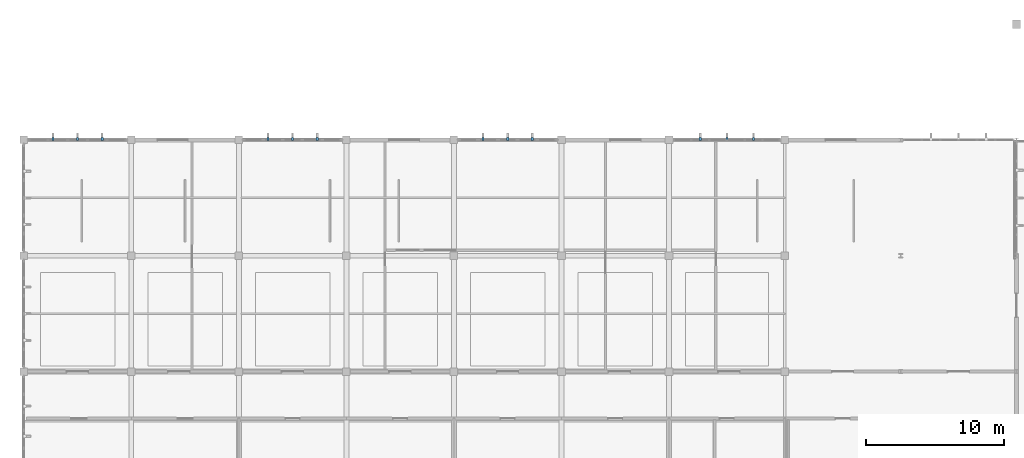
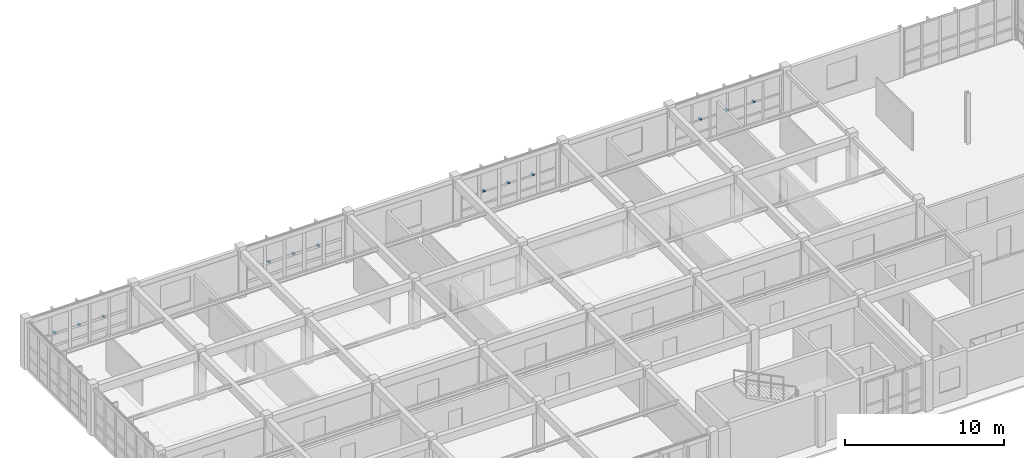
# One storey, part 27 of 35: 12 discrete accessories.
"""IFC4 building model written with IfcOpenShell, lengths in metres."""

import ifcopenshell
import ifcopenshell.guid

model = None  # the IFC model being written
_history = None  # IfcOwnerHistory: only IFC2X3 demands one
_inside = {}  # id of a spatial element -> (the spatial element, [elements in it])
_under = {}  # id of a project, library or spatial element -> (it, [spatial elements below it])
_declared = {}  # id of a project -> (the project, [libraries it declares])
_typed = {}  # id of a type object -> (the type object, [elements of that type])
_made_of = {}  # id of a material, layer set ... -> (it, [elements and type objects made of it])


def new_model(schema):
    """Start an empty IFC model of exactly this schema.

    Asked for "IFC4X3", IfcOpenShell would pick the latest addendum, in which some entities
    have other attributes; the version numbers below select the first issue.
    IFC2X3 requires an IfcOwnerHistory on every rooted entity: one is made here for all.
    """
    global model, _history
    if schema == "IFC4X3":
        model = ifcopenshell.file(schema_version=(4, 3, 0, 0))
    else:
        model = ifcopenshell.file(schema=schema)
    _inside.clear()
    _under.clear()
    _declared.clear()
    _typed.clear()
    _made_of.clear()
    _history = None
    if model.schema == "IFC2X3":
        org = make("IfcOrganization", Name="unknown")
        user = make(
            "IfcPersonAndOrganization",
            ThePerson=make("IfcPerson", FamilyName="unknown"),
            TheOrganization=org,
        )
        app = make(
            "IfcApplication",
            ApplicationDeveloper=org,
            Version="unknown",
            ApplicationFullName="unknown",
            ApplicationIdentifier="unknown",
        )
        _history = make(
            "IfcOwnerHistory",
            OwningUser=user,
            OwningApplication=app,
            ChangeAction="ADDED",
            CreationDate=0,
        )
    return model


def make(cls, **values):
    """One entity of the class cls with the attributes given. An attribute that is None is left unset."""
    return model.create_entity(
        cls, **{name: value for name, value in values.items() if value is not None}
    )


def rooted(cls, **values):
    """An entity with a GlobalId (a new one), such as an element, a storey or a relation."""
    return make(cls, GlobalId=ifcopenshell.guid.new(), OwnerHistory=_history, **values)


def si_unit(unit_type, name, prefix=None):
    """IfcSIUnit, for example si_unit("LENGTHUNIT", "METRE", prefix="MILLI")."""
    return make("IfcSIUnit", UnitType=unit_type, Prefix=prefix, Name=name)


def assignment(units):
    """IfcUnitAssignment: the units of a project."""
    return None if units is None else make("IfcUnitAssignment", Units=units)


def point(xyz):
    """IfcCartesianPoint."""
    return None if xyz is None else make("IfcCartesianPoint", Coordinates=xyz)


def direction(xyz):
    """IfcDirection."""
    return None if xyz is None else make("IfcDirection", DirectionRatios=xyz)


def frame(location, z_axis=None, x_axis=None):
    """IfcAxis2Placement3D, a coordinate frame: its origin and axes. An axis left out is left unset."""
    return make(
        "IfcAxis2Placement3D",
        Location=point(location),
        Axis=direction(z_axis),
        RefDirection=direction(x_axis),
    )


def frame_2d(location, x_axis=None):
    """IfcAxis2Placement2D, a coordinate frame in the plane: its origin and x axis."""
    return make(
        "IfcAxis2Placement2D", Location=point(location), RefDirection=direction(x_axis)
    )


def origin():
    """The frame at (0, 0, 0) with its axes left unset."""
    return frame((0.0, 0.0, 0.0))


def origin_2d():
    """The frame at (0, 0) in the plane with its x axis left unset."""
    return frame_2d((0.0, 0.0))


def place(relative_to, where):
    """IfcLocalPlacement: puts the frame where relative to a parent placement (None: the world)."""
    return make(
        "IfcLocalPlacement", PlacementRelTo=relative_to, RelativePlacement=where
    )


def context(
    kind, dimensions, precision=None, world=None, true_north=None, identifier=None
):
    """IfcGeometricRepresentationContext, for example the 3D "Model" context."""
    return make(
        "IfcGeometricRepresentationContext",
        ContextIdentifier=identifier,
        ContextType=kind,
        CoordinateSpaceDimension=dimensions,
        Precision=precision,
        WorldCoordinateSystem=world,
        TrueNorth=true_north,
    )


def subcontext(parent, identifier, kind, view, scale=None):
    """IfcGeometricRepresentationSubContext, for example "Body" below "Model"."""
    return make(
        "IfcGeometricRepresentationSubContext",
        ContextIdentifier=identifier,
        ContextType=kind,
        ParentContext=parent,
        TargetScale=scale,
        TargetView=view,
    )


def project(units=None, contexts=None):
    """IfcProject with its units and contexts."""
    return rooted(
        "IfcProject",
        Name="project",
        RepresentationContexts=contexts,
        UnitsInContext=assignment(units),
    )


def spatial(cls, under=None, at=None, **own):
    """A site, building, storey or space (cls), placed at a placement, below another one or the project."""
    s = rooted(cls, ObjectPlacement=at, **own)
    if under is not None:
        _under.setdefault(under.id(), (under, []))[1].append(s)
    return s


def profile(cls, at=None, kind="AREA", **sizes):
    """A parametric profile (cls). Its sizes go by their IFC names, for example OverallWidth=200.0."""
    return make(cls, ProfileType=kind, Position=at, **sizes)


def rectangle(**sizes):
    """IfcRectangleProfileDef."""
    return profile("IfcRectangleProfileDef", **sizes)


def extrude(swept, where, along, depth):
    """IfcExtrudedAreaSolid: the profile swept, set in the frame where, extruded along a direction by depth."""
    return make(
        "IfcExtrudedAreaSolid",
        SweptArea=swept,
        Position=where,
        ExtrudedDirection=direction(along),
        Depth=depth,
    )


def shape(context_of_items, identifier, shape_type, items):
    """IfcShapeRepresentation: the items that make up one representation, for example the "Body"."""
    return make(
        "IfcShapeRepresentation",
        ContextOfItems=context_of_items,
        RepresentationIdentifier=identifier,
        RepresentationType=shape_type,
        Items=items,
    )


def material(Name=None, Category=None):
    """IfcMaterial."""
    return make("IfcMaterial", Name=Name, Category=Category)


def made_of(thing, what):
    """Note that an element or type object is made of a material, layer set ...; save() writes the relation."""
    if what is not None:
        _made_of.setdefault(what.id(), (what, []))[1].append(thing)
    return thing


def type_object(cls, material=None, **own):
    """A type object (cls), such as IfcWallType, which elements share."""
    return made_of(rooted(cls, **own), material)


def element(
    cls,
    number,
    at=None,
    inside=None,
    cuts=None,
    type_object=None,
    material=None,
    context=None,
    identifier="Body",
    shape_type=None,
    held_by="IfcProductDefinitionShape",
    body=None,
    shapes=None,
    **own,
):
    """One element of the class cls, such as IfcWall. Its Tag is "e" and its number.

    at: its placement. inside: the storey or other place that contains it. cuts: it is an
    opening in that element (IfcRelVoidsElement). A single representation is given by context,
    identifier, shape_type and body (its items); several are given by shapes. held_by: the class
    of the entity that holds the representations. save() writes the other relations.
    """
    e = rooted(cls, Tag="e%d" % number, ObjectPlacement=at, **own)
    if body is not None:
        shapes = [shape(context, identifier, shape_type, body)]
    if shapes is not None:
        e.Representation = make(held_by, Representations=shapes)
    if inside is not None:
        _inside.setdefault(inside.id(), (inside, []))[1].append(e)
    if cuts is not None:
        rooted(
            "IfcRelVoidsElement", RelatingBuildingElement=cuts, RelatedOpeningElement=e
        )
    if type_object is not None:
        _typed.setdefault(type_object.id(), (type_object, []))[1].append(e)
    return made_of(e, material)


def aggregate(whole, parts):
    """IfcRelAggregates: a whole, such as a stair, and the parts it consists of."""
    return rooted("IfcRelAggregates", RelatingObject=whole, RelatedObjects=parts)


def save(model, path):
    """Write the relations noted so far, then the file.

    IfcRelAggregates (storeys below a building ...), IfcRelContainedInSpatialStructure (elements
    in a storey), IfcRelDefinesByType, IfcRelAssociatesMaterial and IfcRelDeclares: one each for
    every whole, place, type object, material and project.
    """
    for whole, parts in _under.values():
        aggregate(whole, parts)
    for where, things in _inside.values():
        rooted(
            "IfcRelContainedInSpatialStructure",
            RelatedElements=things,
            RelatingStructure=where,
        )
    for kind, things in _typed.values():
        rooted("IfcRelDefinesByType", RelatedObjects=things, RelatingType=kind)
    for what, things in _made_of.values():
        rooted("IfcRelAssociatesMaterial", RelatedObjects=things, RelatingMaterial=what)
    for by, libraries in _declared.values():
        rooted("IfcRelDeclares", RelatingContext=by, RelatedDefinitions=libraries)
    model.write(path)


model = new_model("IFC4")

# Units and contexts
model_context = context("Model", 3, precision=1e-05, world=origin(), true_north=direction((0.0, 1.0)))
body_context = subcontext(model_context, "Body", "Model", "MODEL_VIEW")
ifc_project = project(units=[si_unit("LENGTHUNIT", "METRE"), si_unit("AREAUNIT", "SQUARE_METRE"), si_unit("VOLUMEUNIT", "CUBIC_METRE"), si_unit("PLANEANGLEUNIT", "RADIAN"), si_unit("MASSUNIT", "GRAM", prefix="KILO")], contexts=[model_context])

# Site, building, storey
site_placement = place(None, origin())
site = spatial("IfcSite", under=ifc_project, at=site_placement, CompositionType="ELEMENT")
building_placement = place(site_placement, origin())
building = spatial("IfcBuilding", under=site, at=building_placement, Name="Tizgana Railside Sports Hall", CompositionType="ELEMENT")
storey_placement = place(building_placement, frame((0.0, 0.0, 15.89990234375)))
storey = spatial("IfcBuildingStorey", under=building, at=storey_placement, Name="L03", CompositionType="ELEMENT", Elevation=15.89990234375)

# Discrete accessories
ifc_material = material(Name="Steel S355J2", Category="steel")
discrete_accessory_type = type_object("IfcDiscreteAccessoryType", Name="Stainless Facade Support Bracket", PredefinedType="BRACKET", material=ifc_material)
for number, where, z_axis, x_axis, name in (
    (1, (9.9150390625, 32.47998046875, 1.760009765625), (0.0, 0.0, 1.0), (1.0, 0.0, 0.0), "L03 Fin Bracket"),
    (2, (11.699951171875, 32.47998046875, 1.760009765625), (0.0, 0.0, 1.0), (1.0, 0.0, 0.0), "L03 Fin Bracket"),
    (3, (13.485107421875, 32.47998046875, 1.760009765625), (0.0, 0.0, 1.0), (1.0, 0.0, 0.0), "L03 Fin Bracket"),
    (4, (25.514892578125, 32.47998046875, 1.760009765625), (0.0, 0.0, 1.0), (1.0, 0.0, 0.0), "L03 Fin Bracket"),
    (5, (27.300048828125, 32.47998046875, 1.760009765625), (0.0, 0.0, 1.0), (1.0, 0.0, 0.0), "L03 Fin Bracket"),
    (6, (29.0849609375, 32.47998046875, 1.760009765625), (0.0, 0.0, 1.0), (1.0, 0.0, 0.0), "L03 Fin Bracket"),
    (7, (41.114990234375, 32.47998046875, 1.760009765625), (0.0, 0.0, 1.0), (1.0, 0.0, 0.0), "L03 Fin Bracket"),
    (8, (42.89990234375, 32.47998046875, 1.760009765625), (0.0, 0.0, 1.0), (1.0, 0.0, 0.0), "L03 Fin Bracket"),
    (9, (44.68505859375, 32.47998046875, 1.760009765625), (0.0, 0.0, 1.0), (1.0, 0.0, 0.0), "L03 Fin Bracket"),
    (10, (56.864990234375, 32.47998046875, 1.760009765625), (0.0, 0.0, 1.0), (1.0, 0.0, 0.0), "L03 Fin Bracket"),
    (11, (58.800048828125, 32.47998046875, 1.760009765625), (0.0, 0.0, 1.0), (1.0, 0.0, 0.0), "L03 Fin Bracket"),
    (12, (60.735107421875, 32.47998046875, 1.760009765625), (0.0, 0.0, 1.0), (1.0, 0.0, 0.0), "L03 Fin Bracket"),
):
    element("IfcDiscreteAccessory", number, at=place(storey_placement, frame(where, z_axis=z_axis, x_axis=x_axis)), inside=storey, type_object=discrete_accessory_type, Name=name, PredefinedType="BRACKET", context=body_context, shape_type="SweptSolid", body=[
        extrude(rectangle(XDim=0.159912109375, YDim=0.219970703125, at=origin_2d()), origin(), (0.0, 0.0, 1.0), 0.1201171875),
    ])

save(model, "model.ifc")
